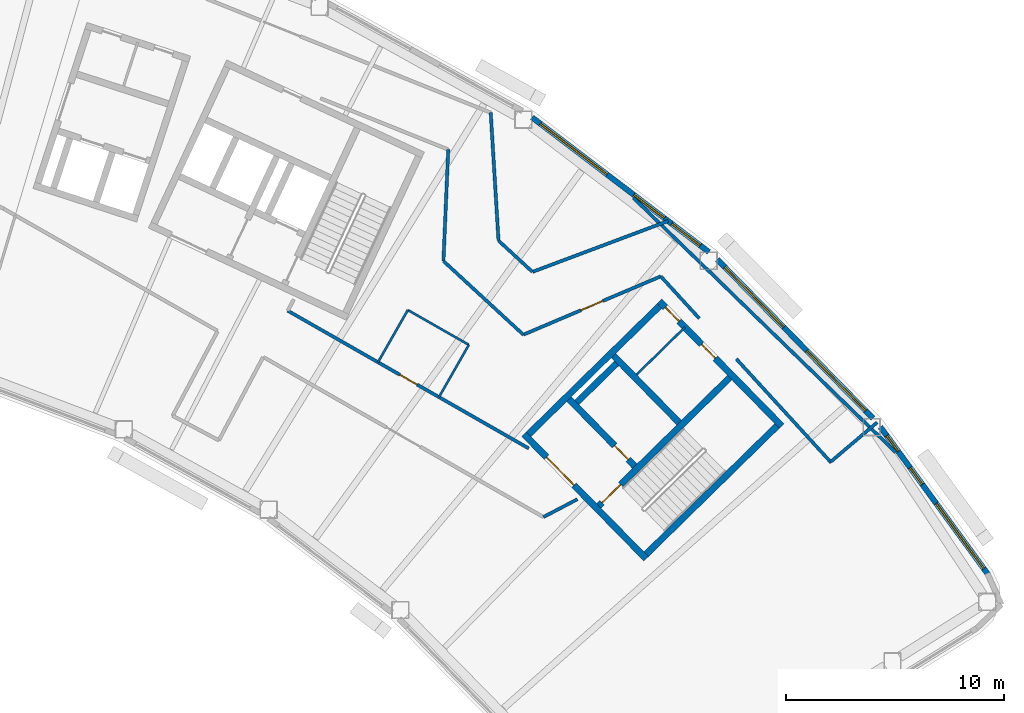
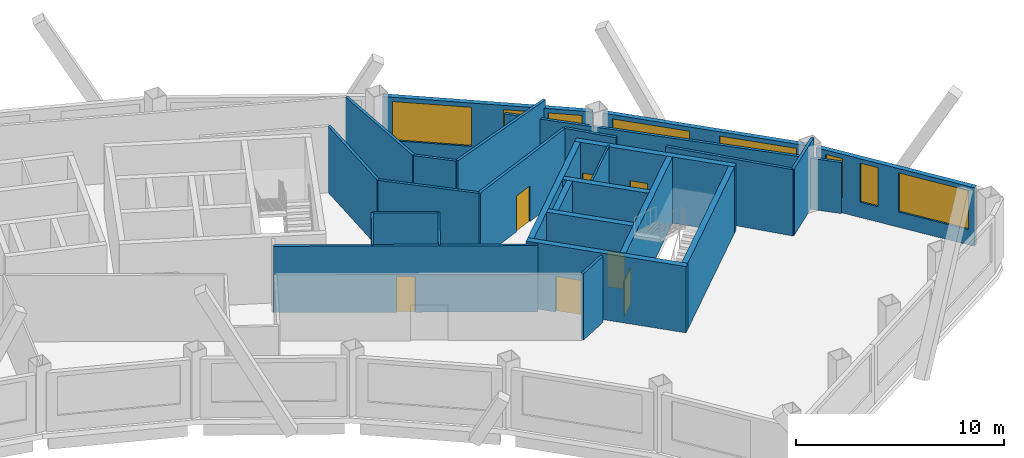
# One storey, part 8 of 12: 27 walls, 8 windows, 7 doors, 15 openings.
"""IFC4 building model written with IfcOpenShell, lengths in metres."""

import ifcopenshell
import ifcopenshell.guid

model = None  # the IFC model being written
_history = None  # IfcOwnerHistory: only IFC2X3 demands one
_inside = {}  # id of a spatial element -> (the spatial element, [elements in it])
_under = {}  # id of a project, library or spatial element -> (it, [spatial elements below it])
_declared = {}  # id of a project -> (the project, [libraries it declares])
_typed = {}  # id of a type object -> (the type object, [elements of that type])
_made_of = {}  # id of a material, layer set ... -> (it, [elements and type objects made of it])


def new_model(schema):
    """Start an empty IFC model of exactly this schema.

    Asked for "IFC4X3", IfcOpenShell would pick the latest addendum, in which some entities
    have other attributes; the version numbers below select the first issue.
    IFC2X3 requires an IfcOwnerHistory on every rooted entity: one is made here for all.
    """
    global model, _history
    if schema == "IFC4X3":
        model = ifcopenshell.file(schema_version=(4, 3, 0, 0))
    else:
        model = ifcopenshell.file(schema=schema)
    _inside.clear()
    _under.clear()
    _declared.clear()
    _typed.clear()
    _made_of.clear()
    _history = None
    if model.schema == "IFC2X3":
        org = make("IfcOrganization", Name="unknown")
        user = make(
            "IfcPersonAndOrganization",
            ThePerson=make("IfcPerson", FamilyName="unknown"),
            TheOrganization=org,
        )
        app = make(
            "IfcApplication",
            ApplicationDeveloper=org,
            Version="unknown",
            ApplicationFullName="unknown",
            ApplicationIdentifier="unknown",
        )
        _history = make(
            "IfcOwnerHistory",
            OwningUser=user,
            OwningApplication=app,
            ChangeAction="ADDED",
            CreationDate=0,
        )
    return model


def make(cls, **values):
    """One entity of the class cls with the attributes given. An attribute that is None is left unset."""
    return model.create_entity(
        cls, **{name: value for name, value in values.items() if value is not None}
    )


def rooted(cls, **values):
    """An entity with a GlobalId (a new one), such as an element, a storey or a relation."""
    return make(cls, GlobalId=ifcopenshell.guid.new(), OwnerHistory=_history, **values)


def si_unit(unit_type, name, prefix=None):
    """IfcSIUnit, for example si_unit("LENGTHUNIT", "METRE", prefix="MILLI")."""
    return make("IfcSIUnit", UnitType=unit_type, Prefix=prefix, Name=name)


def assignment(units):
    """IfcUnitAssignment: the units of a project."""
    return None if units is None else make("IfcUnitAssignment", Units=units)


def point(xyz):
    """IfcCartesianPoint."""
    return None if xyz is None else make("IfcCartesianPoint", Coordinates=xyz)


def direction(xyz):
    """IfcDirection."""
    return None if xyz is None else make("IfcDirection", DirectionRatios=xyz)


def frame(location, z_axis=None, x_axis=None):
    """IfcAxis2Placement3D, a coordinate frame: its origin and axes. An axis left out is left unset."""
    return make(
        "IfcAxis2Placement3D",
        Location=point(location),
        Axis=direction(z_axis),
        RefDirection=direction(x_axis),
    )


def frame_2d(location, x_axis=None):
    """IfcAxis2Placement2D, a coordinate frame in the plane: its origin and x axis."""
    return make(
        "IfcAxis2Placement2D", Location=point(location), RefDirection=direction(x_axis)
    )


def origin():
    """The frame at (0, 0, 0) with its axes left unset."""
    return frame((0.0, 0.0, 0.0))


def place(relative_to, where):
    """IfcLocalPlacement: puts the frame where relative to a parent placement (None: the world)."""
    return make(
        "IfcLocalPlacement", PlacementRelTo=relative_to, RelativePlacement=where
    )


def context(
    kind, dimensions, precision=None, world=None, true_north=None, identifier=None
):
    """IfcGeometricRepresentationContext, for example the 3D "Model" context."""
    return make(
        "IfcGeometricRepresentationContext",
        ContextIdentifier=identifier,
        ContextType=kind,
        CoordinateSpaceDimension=dimensions,
        Precision=precision,
        WorldCoordinateSystem=world,
        TrueNorth=true_north,
    )


def subcontext(parent, identifier, kind, view, scale=None):
    """IfcGeometricRepresentationSubContext, for example "Body" below "Model"."""
    return make(
        "IfcGeometricRepresentationSubContext",
        ContextIdentifier=identifier,
        ContextType=kind,
        ParentContext=parent,
        TargetScale=scale,
        TargetView=view,
    )


def project(units=None, contexts=None):
    """IfcProject with its units and contexts."""
    return rooted(
        "IfcProject",
        Name="project",
        RepresentationContexts=contexts,
        UnitsInContext=assignment(units),
    )


def spatial(cls, under=None, at=None, **own):
    """A site, building, storey or space (cls), placed at a placement, below another one or the project."""
    s = rooted(cls, ObjectPlacement=at, **own)
    if under is not None:
        _under.setdefault(under.id(), (under, []))[1].append(s)
    return s


def profile(cls, at=None, kind="AREA", **sizes):
    """A parametric profile (cls). Its sizes go by their IFC names, for example OverallWidth=200.0."""
    return make(cls, ProfileType=kind, Position=at, **sizes)


def rectangle(**sizes):
    """IfcRectangleProfileDef."""
    return profile("IfcRectangleProfileDef", **sizes)


def extrude(swept, where, along, depth):
    """IfcExtrudedAreaSolid: the profile swept, set in the frame where, extruded along a direction by depth."""
    return make(
        "IfcExtrudedAreaSolid",
        SweptArea=swept,
        Position=where,
        ExtrudedDirection=direction(along),
        Depth=depth,
    )


def shape(context_of_items, identifier, shape_type, items):
    """IfcShapeRepresentation: the items that make up one representation, for example the "Body"."""
    return make(
        "IfcShapeRepresentation",
        ContextOfItems=context_of_items,
        RepresentationIdentifier=identifier,
        RepresentationType=shape_type,
        Items=items,
    )


def material(Name=None, Category=None):
    """IfcMaterial."""
    return make("IfcMaterial", Name=Name, Category=Category)


def layer(
    of_material, thickness, ventilated=None, Name=None, Category=None, Priority=None
):
    """IfcMaterialLayer: one layer of a wall or slab, of a material (None: an air gap)."""
    return make(
        "IfcMaterialLayer",
        Material=of_material,
        LayerThickness=thickness,
        IsVentilated=ventilated,
        Name=Name,
        Category=Category,
        Priority=Priority,
    )


def layer_set(layers, Name=None):
    """IfcMaterialLayerSet."""
    return make("IfcMaterialLayerSet", MaterialLayers=layers, LayerSetName=Name)


def made_of(thing, what):
    """Note that an element or type object is made of a material, layer set ...; save() writes the relation."""
    if what is not None:
        _made_of.setdefault(what.id(), (what, []))[1].append(thing)
    return thing


def type_object(cls, material=None, **own):
    """A type object (cls), such as IfcWallType, which elements share."""
    return made_of(rooted(cls, **own), material)


def element(
    cls,
    number,
    at=None,
    inside=None,
    cuts=None,
    type_object=None,
    material=None,
    context=None,
    identifier="Body",
    shape_type=None,
    held_by="IfcProductDefinitionShape",
    body=None,
    shapes=None,
    **own,
):
    """One element of the class cls, such as IfcWall. Its Tag is "e" and its number.

    at: its placement. inside: the storey or other place that contains it. cuts: it is an
    opening in that element (IfcRelVoidsElement). A single representation is given by context,
    identifier, shape_type and body (its items); several are given by shapes. held_by: the class
    of the entity that holds the representations. save() writes the other relations.
    """
    e = rooted(cls, Tag="e%d" % number, ObjectPlacement=at, **own)
    if body is not None:
        shapes = [shape(context, identifier, shape_type, body)]
    if shapes is not None:
        e.Representation = make(held_by, Representations=shapes)
    if inside is not None:
        _inside.setdefault(inside.id(), (inside, []))[1].append(e)
    if cuts is not None:
        rooted(
            "IfcRelVoidsElement", RelatingBuildingElement=cuts, RelatedOpeningElement=e
        )
    if type_object is not None:
        _typed.setdefault(type_object.id(), (type_object, []))[1].append(e)
    return made_of(e, material)


def fill(opening, filler):
    """IfcRelFillsElement: the door or window that sits in an opening."""
    return rooted(
        "IfcRelFillsElement",
        RelatingOpeningElement=opening,
        RelatedBuildingElement=filler,
    )


def aggregate(whole, parts):
    """IfcRelAggregates: a whole, such as a stair, and the parts it consists of."""
    return rooted("IfcRelAggregates", RelatingObject=whole, RelatedObjects=parts)


def save(model, path):
    """Write the relations noted so far, then the file.

    IfcRelAggregates (storeys below a building ...), IfcRelContainedInSpatialStructure (elements
    in a storey), IfcRelDefinesByType, IfcRelAssociatesMaterial and IfcRelDeclares: one each for
    every whole, place, type object, material and project.
    """
    for whole, parts in _under.values():
        aggregate(whole, parts)
    for where, things in _inside.values():
        rooted(
            "IfcRelContainedInSpatialStructure",
            RelatedElements=things,
            RelatingStructure=where,
        )
    for kind, things in _typed.values():
        rooted("IfcRelDefinesByType", RelatedObjects=things, RelatingType=kind)
    for what, things in _made_of.values():
        rooted("IfcRelAssociatesMaterial", RelatedObjects=things, RelatingMaterial=what)
    for by, libraries in _declared.values():
        rooted("IfcRelDeclares", RelatingContext=by, RelatedDefinitions=libraries)
    model.write(path)


model = new_model("IFC4")

# Units and contexts
model_context = context("Model", 3, precision=1e-05, world=origin(), true_north=direction((0.0, 1.0)))
body_context = subcontext(model_context, "Body", "Model", "MODEL_VIEW")
ifc_project = project(units=[si_unit("LENGTHUNIT", "METRE"), si_unit("AREAUNIT", "SQUARE_METRE"), si_unit("VOLUMEUNIT", "CUBIC_METRE"), si_unit("PLANEANGLEUNIT", "RADIAN"), si_unit("MASSUNIT", "GRAM", prefix="KILO")], contexts=[model_context])

# Site, building, storey
site_placement = place(None, origin())
site = spatial("IfcSite", under=ifc_project, at=site_placement, CompositionType="ELEMENT")
building_placement = place(site_placement, origin())
building = spatial("IfcBuilding", under=site, at=building_placement, Name="Tuul Gate Civic Tower", CompositionType="ELEMENT")
storey_placement = place(building_placement, frame((0.0, 0.0, 336.5)))
storey = spatial("IfcBuildingStorey", under=building, at=storey_placement, Name="Level 76", CompositionType="ELEMENT", Elevation=336.5)

# Wall, opening, door
ifc_material_1 = material(Name="Concrete C50/60", Category="concrete")
ifc_layer_1 = layer(ifc_material_1, 0.300048828125)
ifc_layer_set_1 = layer_set([ifc_layer_1], Name="Concrete C50/60")
wall_type_1 = type_object("IfcWallType", Name="Core wall C50/60", PredefinedType="SHEAR", material=ifc_layer_set_1)
wall_1_placement = place(storey_placement, frame((48.22509765625, -18.327880859375, 0.0), z_axis=(0.0, 0.0, 1.0), x_axis=(-0.700021979774, 0.714121297703, 0.0)))
wall_1 = element("IfcWall", 1, at=wall_1_placement, inside=storey, type_object=wall_type_1, Name="Core wall", PredefinedType="SHEAR", context=body_context, shape_type="SweptSolid", body=[
    extrude(rectangle(XDim=8.0, YDim=0.300048828125, at=frame_2d((4.0, 0.0))), origin(), (0.0, 0.0, 1.0), 3.89990234375),
])
opening_1_placement = place(wall_1_placement, frame((4.72509765625, 0.0, 0.0)))
opening_1 = element("IfcOpeningElement", 2, at=opening_1_placement, cuts=wall_1, Name="Opening LB-E1-LOBBY-1", PredefinedType="OPENING", context=body_context, shape_type="SweptSolid", body=[
    extrude(rectangle(XDim=1.800048828125, YDim=2.10009765625, at=frame_2d((0.89990234375, 1.050048828125))), frame((0.0, 0.16015625, 0.0), z_axis=(0.0, -1.0, 0.0), x_axis=(1.0, 0.0, 0.0)), (0.0, 0.0, 1.0), 0.320068359375),
])
ifc_material_2 = material(Name="Steel", Category="steel")
door_type_1 = type_object("IfcDoorType", Name="Lobby door", OperationType="DOUBLE_DOOR_SINGLE_SWING", PredefinedType="DOOR", material=ifc_material_2)
door_1_placement = place(opening_1_placement, frame((1.800048828125, 0.0, 0.0), z_axis=(0.0, 0.0, 1.0), x_axis=(-1.0, 0.0, 0.0)))
door_1 = element("IfcDoor", 3, at=door_1_placement, inside=storey, type_object=door_type_1, Name="Lobby door E1-LOBBY", OperationType="DOUBLE_DOOR_SINGLE_SWING", OverallHeight=2.10009765625, OverallWidth=1.800048828125, PredefinedType="DOOR", context=body_context, shape_type="SweptSolid", body=[
    extrude(rectangle(XDim=1.800048828125, YDim=2.10009765625, at=frame_2d((0.900146484375, 1.050048828125))), frame((0.0, 0.02490234375, 0.0), z_axis=(0.0, -1.0, 0.0), x_axis=(1.0, 0.0, 0.0)), (0.0, 0.0, 1.0), 0.050048828125),
])
fill(opening_1, door_1)

wall_2_placement = place(storey_placement, frame((47.701904296875, -14.079833984375, 0.0), z_axis=(0.0, 0.0, 1.0), x_axis=(-0.700002721075, 0.714140175657, 0.0)))
wall_2 = element("IfcWall", 4, at=wall_2_placement, inside=storey, type_object=wall_type_1, Name="Core wall", PredefinedType="SHEAR", context=body_context, shape_type="SweptSolid", body=[
    extrude(rectangle(XDim=4.300048828125, YDim=0.300048828125, at=frame_2d((2.14990234375, 0.0))), origin(), (0.0, 0.0, 1.0), 3.89990234375),
])
opening_2_placement = place(wall_2_placement, frame((0.425048828125, 0.0, 0.0)))
opening_2 = element("IfcOpeningElement", 5, at=opening_2_placement, cuts=wall_2, Name="Opening FB-E1A1", PredefinedType="OPENING", context=body_context, shape_type="SweptSolid", body=[
    extrude(rectangle(XDim=0.89990234375, YDim=2.10009765625, at=frame_2d((0.449951171875, 1.050048828125))), frame((0.0, 0.16015625, 0.0), z_axis=(0.0, -1.0, 0.0), x_axis=(1.0, 0.0, 0.0)), (0.0, 0.0, 1.0), 0.320068359375),
])
ifc_material_3 = material(Name="Steel", Category="steel")
door_type_2 = type_object("IfcDoorType", Name="Store door", OperationType="NOTDEFINED", PredefinedType="DOOR", material=ifc_material_3)
door_2_placement = place(opening_2_placement, frame((0.89990234375, 0.0, 0.0), z_axis=(0.0, 0.0, 1.0), x_axis=(-1.0, 0.0, 0.0)))
door_2 = element("IfcDoor", 6, at=door_2_placement, inside=storey, type_object=door_type_2, Name="Store door E1A1", OperationType="SINGLE_SWING_RIGHT", OverallHeight=2.10009765625, OverallWidth=0.89990234375, PredefinedType="DOOR", context=body_context, shape_type="SweptSolid", body=[
    extrude(rectangle(XDim=0.89990234375, YDim=2.10009765625, at=frame_2d((0.449951171875, 1.050048828125))), frame((0.0, 0.02490234375, 0.0), z_axis=(0.0, -1.0, 0.0), x_axis=(1.0, 0.0, 0.0)), (0.0, 0.0, 1.0), 0.050048828125),
])
fill(opening_2, door_2)

# Wall
wall_3_placement = place(storey_placement, frame((49.737060546875, -12.0849609375, 0.0), z_axis=(0.0, 0.0, 1.0), x_axis=(-0.700002721075, 0.714140175657, 0.0)))
element("IfcWall", 7, at=wall_3_placement, inside=storey, type_object=wall_type_1, Name="Core wall", PredefinedType="SHEAR", context=body_context, shape_type="SweptSolid", body=[
    extrude(rectangle(XDim=4.300048828125, YDim=0.300048828125, at=frame_2d((2.14990234375, 0.0))), origin(), (0.0, 0.0, 1.0), 3.89990234375),
])

# Wall, openings, doors
wall_4_placement = place(storey_placement, frame((54.43798828125, -12.23779296875, 0.0), z_axis=(0.0, 0.0, 1.0), x_axis=(-0.700021979774, 0.714121297703, 0.0)))
wall_4 = element("IfcWall", 8, at=wall_4_placement, inside=storey, type_object=wall_type_1, Name="Core wall", PredefinedType="SHEAR", context=body_context, shape_type="SweptSolid", body=[
    extrude(rectangle(XDim=8.0, YDim=0.300048828125, at=frame_2d((4.0, 0.0))), origin(), (0.0, 0.0, 1.0), 3.89990234375),
])
opening_3_placement = place(wall_4_placement, frame((4.34375, 0.0, 0.0)))
opening_3 = element("IfcOpeningElement", 9, at=opening_3_placement, cuts=wall_4, Name="Opening AB-D16", PredefinedType="OPENING", context=body_context, shape_type="SweptSolid", body=[
    extrude(rectangle(XDim=0.89990234375, YDim=2.10009765625, at=frame_2d((0.449951171875, 1.050048828125))), frame((0.0, 0.16015625, 0.0), z_axis=(0.0, -1.0, 0.0), x_axis=(1.0, 0.0, 0.0)), (0.0, 0.0, 1.0), 0.320068359375),
])
opening_4_placement = place(wall_4_placement, frame((6.71875, 0.0, 0.0)))
opening_4 = element("IfcOpeningElement", 10, at=opening_4_placement, cuts=wall_4, Name="Opening AB-D17", PredefinedType="OPENING", context=body_context, shape_type="SweptSolid", body=[
    extrude(rectangle(XDim=0.89990234375, YDim=2.10009765625, at=frame_2d((0.449951171875, 1.050048828125))), frame((0.0, 0.16015625, 0.0), z_axis=(0.0, -1.0, 0.0), x_axis=(1.0, 0.0, 0.0)), (0.0, 0.0, 1.0), 0.320068359375),
])
ifc_material_4 = material(Name="Timber door leaf", Category="wood")
door_type_3 = type_object("IfcDoorType", Name="Door D09", OperationType="NOTDEFINED", PredefinedType="DOOR", material=ifc_material_4)
door_3_placement = place(opening_3_placement, origin())
door_3 = element("IfcDoor", 11, at=door_3_placement, inside=storey, type_object=door_type_3, Name="Door AB-D16", OperationType="SINGLE_SWING_LEFT", OverallHeight=2.10009765625, OverallWidth=0.89990234375, PredefinedType="DOOR", context=body_context, shape_type="SweptSolid", body=[
    extrude(rectangle(XDim=0.89990234375, YDim=2.10009765625, at=frame_2d((0.449951171875, 1.050048828125))), frame((0.0, 0.02490234375, 0.0), z_axis=(0.0, -1.0, 0.0), x_axis=(1.0, 0.0, 0.0)), (0.0, 0.0, 1.0), 0.050048828125),
])
fill(opening_3, door_3)
door_4_placement = place(opening_4_placement, origin())
door_4 = element("IfcDoor", 12, at=door_4_placement, inside=storey, type_object=door_type_3, Name="Door AB-D17", OperationType="SINGLE_SWING_LEFT", OverallHeight=2.10009765625, OverallWidth=0.89990234375, PredefinedType="DOOR", context=body_context, shape_type="SweptSolid", body=[
    extrude(rectangle(XDim=0.89990234375, YDim=2.10009765625, at=frame_2d((0.449951171875, 1.050048828125))), frame((0.0, 0.02490234375, 0.0), z_axis=(0.0, -1.0, 0.0), x_axis=(1.0, 0.0, 0.0)), (0.0, 0.0, 1.0), 0.050048828125),
])
fill(opening_4, door_4)

# Wall
wall_5_placement = place(storey_placement, frame((48.227294921875, -18.115966796875, 0.0), z_axis=(0.0, 0.0, 1.0), x_axis=(0.714105315431, 0.700038283577, 0.0)))
element("IfcWall", 13, at=wall_5_placement, inside=storey, type_object=wall_type_1, Name="Core wall", PredefinedType="SHEAR", context=body_context, shape_type="SweptSolid", body=[
    extrude(rectangle(XDim=8.400146484375, YDim=0.300048828125, at=frame_2d((4.2001953125, 0.0))), origin(), (0.0, 0.0, 1.0), 3.89990234375),
])

# Wall, opening, door
wall_6_placement = place(storey_placement, frame((46.05712890625, -15.902099609375, 0.0), z_axis=(0.0, 0.0, 1.0), x_axis=(0.714134086973, 0.700008932674, 0.0)))
wall_6 = element("IfcWall", 14, at=wall_6_placement, inside=storey, type_object=wall_type_1, Name="Core wall", PredefinedType="SHEAR", context=body_context, shape_type="SweptSolid", body=[
    extrude(rectangle(XDim=8.400146484375, YDim=0.300048828125, at=frame_2d((4.2001953125, 0.0))), origin(), (0.0, 0.0, 1.0), 3.89990234375),
])
opening_5_placement = place(wall_6_placement, frame((0.199951171875, 0.0, 0.0)))
opening_5 = element("IfcOpeningElement", 15, at=opening_5_placement, cuts=wall_6, Name="Opening SD-ST-3", PredefinedType="OPENING", context=body_context, shape_type="SweptSolid", body=[
    extrude(rectangle(XDim=1.199951171875, YDim=2.10009765625, at=frame_2d((0.60009765625, 1.050048828125))), frame((0.0, 0.16015625, 0.0), z_axis=(0.0, -1.0, 0.0), x_axis=(1.0, 0.0, 0.0)), (0.0, 0.0, 1.0), 0.320068359375),
])
ifc_material_5 = material(Name="Steel", Category="steel")
door_type_4 = type_object("IfcDoorType", Name="Stair door", OperationType="NOTDEFINED", PredefinedType="DOOR", material=ifc_material_5)
door_5_placement = place(opening_5_placement, origin())
door_5 = element("IfcDoor", 16, at=door_5_placement, inside=storey, type_object=door_type_4, Name="Stair door ST-3", OperationType="SINGLE_SWING_LEFT", OverallHeight=2.10009765625, OverallWidth=1.199951171875, PredefinedType="DOOR", context=body_context, shape_type="SweptSolid", body=[
    extrude(rectangle(XDim=1.199951171875, YDim=2.10009765625, at=frame_2d((0.60009765625, 1.050048828125))), frame((0.0, 0.02490234375, 0.0), z_axis=(0.0, -1.0, 0.0), x_axis=(1.0, 0.0, 0.0)), (0.0, 0.0, 1.0), 0.050048828125),
])
fill(opening_5, door_5)

# Walls
wall_7_placement = place(storey_placement, frame((45.0439453125, -11.154052734375, 0.0), z_axis=(0.0, 0.0, 1.0), x_axis=(0.714108498262, 0.700035036773, 0.0)))
element("IfcWall", 17, at=wall_7_placement, inside=storey, type_object=wall_type_1, Name="Core wall", PredefinedType="SHEAR", context=body_context, shape_type="SweptSolid", body=[
    extrude(rectangle(XDim=2.550048828125, YDim=0.300048828125, at=frame_2d((1.27490234375, 0.0))), origin(), (0.0, 0.0, 1.0), 3.89990234375),
])
wall_8_placement = place(storey_placement, frame((42.837158203125, -12.616943359375, 0.0), z_axis=(0.0, 0.0, 1.0), x_axis=(0.714119844755, 0.700023461983, 0.0)))
element("IfcWall", 18, at=wall_8_placement, inside=storey, type_object=wall_type_1, Name="Core wall", PredefinedType="SHEAR", context=body_context, shape_type="SweptSolid", body=[
    extrude(rectangle(XDim=8.39990234375, YDim=0.300048828125, at=frame_2d((4.199951171875, 0.0))), origin(), (0.0, 0.0, 1.0), 3.89990234375),
])
ifc_material_6 = material(Name="Gypsum board partition")
ifc_layer_2 = layer(ifc_material_6, 0.14990234375)
ifc_layer_set_2 = layer_set([ifc_layer_2], Name="Gypsum board partition")
wall_type_2 = type_object("IfcWallType", Name="Corridor wall P150", PredefinedType="PARTITIONING", material=ifc_layer_set_2)
wall_9_placement = place(storey_placement, frame((56.680419921875, -13.884521484375, 0.0), z_axis=(0.0, 0.0, 1.0), x_axis=(0.762827080331, 0.646602540603, 0.0)))
element("IfcWall", 19, at=wall_9_placement, inside=storey, type_object=wall_type_2, Name="p005", PredefinedType="PARTITIONING", context=body_context, shape_type="SweptSolid", body=[
    extrude(rectangle(XDim=2.800048828125, YDim=0.14990234375, at=frame_2d((1.39990234375, 0.0))), origin(), (0.0, 0.0, 1.0), 3.89990234375),
])
wall_10_placement = place(storey_placement, frame((43.022705078125, -5.169677734375, 0.0), z_axis=(0.0, 0.0, 1.0), x_axis=(0.936259625326, 0.351308858391, 0.0)))
element("IfcWall", 20, at=wall_10_placement, inside=storey, type_object=wall_type_2, Name="p008", PredefinedType="PARTITIONING", context=body_context, shape_type="SweptSolid", body=[
    extrude(rectangle(XDim=6.637451171875, YDim=0.14990234375, at=frame_2d((3.31884765625, 0.0))), origin(), (0.0, 0.0, 1.0), 3.89990234375),
])
wall_11_placement = place(storey_placement, frame((41.4609375, -3.74462890625, 0.0), z_axis=(0.0, 0.0, 1.0), x_axis=(0.73520477324, -0.677845071831, 0.0)))
element("IfcWall", 21, at=wall_11_placement, inside=storey, type_object=wall_type_2, Name="p009", PredefinedType="PARTITIONING", context=body_context, shape_type="SweptSolid", body=[
    extrude(rectangle(XDim=2.098388671875, YDim=0.14990234375, at=frame_2d((1.04931640625, 0.0))), origin(), (0.0, 0.0, 1.0), 3.89990234375),
])
wall_12_placement = place(storey_placement, frame((41.09814453125, 2.126708984375, 0.0), z_axis=(0.0, 0.0, 1.0), x_axis=(0.060778723393, -0.99815126448, 0.0)))
element("IfcWall", 22, at=wall_12_placement, inside=storey, type_object=wall_type_2, Name="p010", PredefinedType="PARTITIONING", context=body_context, shape_type="SweptSolid", body=[
    extrude(rectangle(XDim=5.87255859375, YDim=0.14990234375, at=frame_2d((2.936279296875, 0.0))), origin(), (0.0, 0.0, 1.0), 3.89990234375),
])

# Wall, opening, door
wall_13_placement = place(storey_placement, frame((31.793701171875, -6.953857421875, 0.0), z_axis=(0.0, 0.0, 1.0), x_axis=(0.868275010621, -0.496083164329, 0.0)))
wall_13 = element("IfcWall", 23, at=wall_13_placement, inside=storey, type_object=wall_type_2, Name="p015", PredefinedType="PARTITIONING", context=body_context, shape_type="SweptSolid", body=[
    extrude(rectangle(XDim=12.72802734375, YDim=0.14990234375, at=frame_2d((6.364013671875, 0.0))), origin(), (0.0, 0.0, 1.0), 3.89990234375),
])
opening_6_placement = place(wall_13_placement, frame((5.923583984375, 0.0, 0.0)))
opening_6 = element("IfcOpeningElement", 24, at=opening_6_placement, cuts=wall_13, Name="Opening AB-D09", PredefinedType="OPENING", context=body_context, shape_type="SweptSolid", body=[
    extrude(rectangle(XDim=0.89990234375, YDim=2.10009765625, at=frame_2d((0.449951171875, 1.050048828125))), frame((0.0, 0.0849609375, 0.0), z_axis=(0.0, -1.0, 0.0), x_axis=(1.0, 0.0, 0.0)), (0.0, 0.0, 1.0), 0.169921875),
])
door_6_placement = place(opening_6_placement, origin())
door_6 = element("IfcDoor", 25, at=door_6_placement, inside=storey, type_object=door_type_3, Name="Door AB-D09", OperationType="SINGLE_SWING_RIGHT", OverallHeight=2.10009765625, OverallWidth=0.89990234375, PredefinedType="DOOR", context=body_context, shape_type="SweptSolid", body=[
    extrude(rectangle(XDim=0.89990234375, YDim=2.10009765625, at=frame_2d((0.449951171875, 1.050048828125))), frame((0.0, 0.02490234375, 0.0), z_axis=(0.0, -1.0, 0.0), x_axis=(1.0, 0.0, 0.0)), (0.0, 0.0, 1.0), 0.050048828125),
])
fill(opening_6, door_6)

# Walls
wall_14_placement = place(storey_placement, frame((48.8955078125, -5.377685546875, 0.0), z_axis=(0.0, 0.0, 1.0), x_axis=(0.674981058804, -0.737835056267, 0.0)))
element("IfcWall", 26, at=wall_14_placement, inside=storey, type_object=wall_type_2, Name="p034", PredefinedType="PARTITIONING", context=body_context, shape_type="SweptSolid", body=[
    extrude(rectangle(XDim=2.617919921875, YDim=0.14990234375, at=frame_2d((1.30908203125, 0.0))), origin(), (0.0, 0.0, 1.0), 3.89990234375),
])
wall_15_placement = place(storey_placement, frame((52.35595703125, -9.160400390625, 0.0), z_axis=(0.0, 0.0, 1.0), x_axis=(0.675011270059, -0.737807417484, 0.0)))
element("IfcWall", 27, at=wall_15_placement, inside=storey, type_object=wall_type_2, Name="p035", PredefinedType="PARTITIONING", context=body_context, shape_type="SweptSolid", body=[
    extrude(rectangle(XDim=6.449951171875, YDim=0.14990234375, at=frame_2d((3.22509765625, 0.0))), origin(), (0.0, 0.0, 1.0), 3.89990234375),
])
wall_16_placement = place(storey_placement, frame((43.513427734375, -16.4140625, 0.0), z_axis=(0.0, 0.0, 1.0), x_axis=(0.885532234034, 0.464577940164, 0.0)))
element("IfcWall", 28, at=wall_16_placement, inside=storey, type_object=wall_type_2, Name="p042", PredefinedType="PARTITIONING", context=body_context, shape_type="SweptSolid", body=[
    extrude(rectangle(XDim=1.75732421875, YDim=0.14990234375, at=frame_2d((0.878662109375, 0.0))), origin(), (0.0, 0.0, 1.0), 3.89990234375),
])

# Wall, opening, door
wall_17_placement = place(storey_placement, frame((42.593505859375, -8.05322265625, 0.0), z_axis=(0.0, 0.0, 1.0), x_axis=(0.920478795209, 0.390792512172, 0.0)))
wall_17 = element("IfcWall", 29, at=wall_17_placement, inside=storey, type_object=wall_type_2, Name="p076", PredefinedType="PARTITIONING", context=body_context, shape_type="SweptSolid", body=[
    extrude(rectangle(XDim=6.846435546875, YDim=0.14990234375, at=frame_2d((3.42333984375, 0.0))), origin(), (0.0, 0.0, 1.0), 3.89990234375),
])
opening_7_placement = place(wall_17_placement, frame((2.873291015625, 0.0, 0.0)))
opening_7 = element("IfcOpeningElement", 30, at=opening_7_placement, cuts=wall_17, Name="Opening AB-D13", PredefinedType="OPENING", context=body_context, shape_type="SweptSolid", body=[
    extrude(rectangle(XDim=1.10009765625, YDim=2.10009765625, at=frame_2d((0.550048828125, 1.050048828125))), frame((0.0, 0.0849609375, 0.0), z_axis=(0.0, -1.0, 0.0), x_axis=(1.0, 0.0, 0.0)), (0.0, 0.0, 1.0), 0.169921875),
])
ifc_material_7 = material(Name="Timber door leaf", Category="wood")
door_type_5 = type_object("IfcDoorType", Name="Door D11", OperationType="NOTDEFINED", PredefinedType="DOOR", material=ifc_material_7)
door_7_placement = place(opening_7_placement, frame((1.10009765625, 0.0, 0.0), z_axis=(0.0, 0.0, 1.0), x_axis=(-1.0, 0.0, 0.0)))
door_7 = element("IfcDoor", 31, at=door_7_placement, inside=storey, type_object=door_type_5, Name="Door AB-D13", OperationType="SINGLE_SWING_LEFT", OverallHeight=2.10009765625, OverallWidth=1.10009765625, PredefinedType="DOOR", context=body_context, shape_type="SweptSolid", body=[
    extrude(rectangle(XDim=1.10009765625, YDim=2.10009765625, at=frame_2d((0.550048828125, 1.050048828125))), frame((0.0, 0.02490234375, 0.0), z_axis=(0.0, -1.0, 0.0), x_axis=(1.0, 0.0, 0.0)), (0.0, 0.0, 1.0), 0.050048828125),
])
fill(opening_7, door_7)

# Walls
wall_18_placement = place(storey_placement, frame((38.930419921875, -4.676025390625, 0.0), z_axis=(0.0, 0.0, 1.0), x_axis=(0.735214732074, -0.677834270114, 0.0)))
element("IfcWall", 32, at=wall_18_placement, inside=storey, type_object=wall_type_2, Name="p077", PredefinedType="PARTITIONING", context=body_context, shape_type="SweptSolid", body=[
    extrude(rectangle(XDim=4.982421875, YDim=0.14990234375, at=frame_2d((2.4912109375, 0.0))), origin(), (0.0, 0.0, 1.0), 3.89990234375),
])
wall_19_placement = place(storey_placement, frame((38.930419921875, -4.676025390625, 0.0), z_axis=(0.0, 0.0, 1.0), x_axis=(0.042938252955, 0.999077727924, 0.0)))
element("IfcWall", 33, at=wall_19_placement, inside=storey, type_object=wall_type_2, Name="p078", PredefinedType="PARTITIONING", context=body_context, shape_type="SweptSolid", body=[
    extrude(rectangle(XDim=5.1171875, YDim=0.14990234375, at=frame_2d((2.55859375, 0.0))), origin(), (0.0, 0.0, 1.0), 3.89990234375),
])
ifc_material_8 = material(Name="Gypsum board partition")
ifc_layer_3 = layer(ifc_material_8, 0.14990234375)
ifc_layer_set_3 = layer_set([ifc_layer_3], Name="Gypsum board partition")
wall_type_3 = type_object("IfcWallType", Name="Corridor wall P150 3000 HIGH", PredefinedType="PARTITIONING", material=ifc_layer_set_3)
wall_20_placement = place(storey_placement, frame((47.64111328125, -1.7802734375, 0.0), z_axis=(0.0, 0.0, 1.0), x_axis=(0.717632546103, -0.696421947367, 0.0)))
element("IfcWall", 34, at=wall_20_placement, inside=storey, type_object=wall_type_3, Name="p007", PredefinedType="PARTITIONING", context=body_context, shape_type="SweptSolid", body=[
    extrude(rectangle(XDim=16.74755859375, YDim=0.14990234375, at=frame_2d((8.373779296875, 0.0))), origin(), (0.0, 0.0, 1.0), 3.0),
])

# Wall, openings, windows
ifc_material_9 = material(Name="Precast concrete C40/50", Category="concrete")
ifc_layer_4 = layer(ifc_material_9, 0.25)
ifc_layer_set_4 = layer_set([ifc_layer_4], Name="Precast concrete C40/50")
wall_type_4 = type_object("IfcWallType", Name="External wall", PredefinedType="STANDARD", material=ifc_layer_set_4)
wall_21_placement = place(storey_placement, frame((63.881103515625, -19.017822265625, 0.0), z_axis=(0.0, 0.0, 1.0), x_axis=(-0.58975151757, 0.80758476182, 0.0)))
wall_21 = element("IfcWall", 35, at=wall_21_placement, inside=storey, type_object=wall_type_4, Name="External wall", PredefinedType="STANDARD", context=body_context, shape_type="SweptSolid", body=[
    extrude(rectangle(XDim=8.33740234375, YDim=0.25, at=frame_2d((4.168701171875, 0.0))), origin(), (0.0, 0.0, 1.0), 3.449951171875),
])
opening_8_placement = place(wall_21_placement, frame((0.30078125, 0.0, 0.89990234375)))
opening_8 = element("IfcOpeningElement", 36, at=opening_8_placement, cuts=wall_21, Name="Opening W21", PredefinedType="OPENING", context=body_context, shape_type="SweptSolid", body=[
    extrude(rectangle(XDim=3.699951171875, YDim=2.300048828125, at=frame_2d((1.85009765625, 1.14990234375))), frame((0.0, 0.135009765625, 0.0), z_axis=(0.0, -1.0, 0.0), x_axis=(1.0, 0.0, 0.0)), (0.0, 0.0, 1.0), 0.27001953125),
])
opening_9_placement = place(wall_21_placement, frame((5.077392578125, 0.0, 0.89990234375)))
opening_9 = element("IfcOpeningElement", 37, at=opening_9_placement, cuts=wall_21, Name="Opening W71", PredefinedType="OPENING", context=body_context, shape_type="SweptSolid", body=[
    extrude(rectangle(XDim=0.949951171875, YDim=2.300048828125, at=frame_2d((0.47509765625, 1.14990234375))), frame((0.0, 0.135009765625, 0.0), z_axis=(0.0, -1.0, 0.0), x_axis=(1.0, 0.0, 0.0)), (0.0, 0.0, 1.0), 0.27001953125),
])
opening_10_placement = place(wall_21_placement, frame((6.94091796875, 0.0, 0.89990234375)))
opening_10 = element("IfcOpeningElement", 38, at=opening_10_placement, cuts=wall_21, Name="Opening W73", PredefinedType="OPENING", context=body_context, shape_type="SweptSolid", body=[
    extrude(rectangle(XDim=0.89990234375, YDim=2.300048828125, at=frame_2d((0.449951171875, 1.14990234375))), frame((0.0, 0.135009765625, 0.0), z_axis=(0.0, -1.0, 0.0), x_axis=(1.0, 0.0, 0.0)), (0.0, 0.0, 1.0), 0.27001953125),
])
ifc_material_10 = material(Name="Glass", Category="glass")
window_type_1 = type_object("IfcWindowType", Name="Window 900 x 2300", PartitioningType="SINGLE_PANEL", PredefinedType="WINDOW", material=ifc_material_10)
window_1_placement = place(opening_10_placement, origin())
window_1 = element("IfcWindow", 39, at=window_1_placement, inside=storey, type_object=window_type_1, Name="Window", OverallHeight=2.300048828125, OverallWidth=0.89990234375, PartitioningType="SINGLE_PANEL", PredefinedType="WINDOW", context=body_context, shape_type="SweptSolid", body=[
    extrude(rectangle(XDim=0.89990234375, YDim=2.300048828125, at=frame_2d((0.449951171875, 1.14990234375))), frame((0.0, 0.030029296875, 0.0), z_axis=(0.0, -1.0, 0.0), x_axis=(1.0, 0.0, 0.0)), (0.0, 0.0, 1.0), 0.06005859375),
])
fill(opening_10, window_1)
ifc_material_11 = material(Name="Glass", Category="glass")
window_type_2 = type_object("IfcWindowType", Name="Window 950 x 2300", PartitioningType="SINGLE_PANEL", PredefinedType="WINDOW", material=ifc_material_11)
window_2_placement = place(opening_9_placement, origin())
window_2 = element("IfcWindow", 40, at=window_2_placement, inside=storey, type_object=window_type_2, Name="Window", OverallHeight=2.300048828125, OverallWidth=0.949951171875, PartitioningType="SINGLE_PANEL", PredefinedType="WINDOW", context=body_context, shape_type="SweptSolid", body=[
    extrude(rectangle(XDim=0.949951171875, YDim=2.300048828125, at=frame_2d((0.47509765625, 1.14990234375))), frame((0.0, 0.030029296875, 0.0), z_axis=(0.0, -1.0, 0.0), x_axis=(1.0, 0.0, 0.0)), (0.0, 0.0, 1.0), 0.06005859375),
])
fill(opening_9, window_2)
ifc_material_12 = material(Name="Glass", Category="glass")
window_type_3 = type_object("IfcWindowType", Name="Window W21 3700 x 2300", PartitioningType="SINGLE_PANEL", PredefinedType="WINDOW", material=ifc_material_12)
window_3_placement = place(opening_8_placement, origin())
window_3 = element("IfcWindow", 41, at=window_3_placement, inside=storey, type_object=window_type_3, Name="Window", OverallHeight=2.300048828125, OverallWidth=3.699951171875, PartitioningType="SINGLE_PANEL", PredefinedType="WINDOW", context=body_context, shape_type="SweptSolid", body=[
    extrude(rectangle(XDim=3.699951171875, YDim=2.300048828125, at=frame_2d((1.85009765625, 1.14990234375))), frame((0.0, 0.030029296875, 0.0), z_axis=(0.0, -1.0, 0.0), x_axis=(1.0, 0.0, 0.0)), (0.0, 0.0, 1.0), 0.06005859375),
])
fill(opening_8, window_3)

wall_22_placement = place(storey_placement, frame((58.627197265625, -11.887939453125, 0.0), z_axis=(0.0, 0.0, 1.0), x_axis=(-0.700055609081, 0.714088330807, 0.0)))
wall_22 = element("IfcWall", 42, at=wall_22_placement, inside=storey, type_object=wall_type_4, Name="External wall", PredefinedType="STANDARD", context=body_context, shape_type="SweptSolid", body=[
    extrude(rectangle(XDim=10.1953125, YDim=0.25, at=frame_2d((5.09765625, 0.0))), origin(), (0.0, 0.0, 1.0), 3.449951171875),
])
opening_11_placement = place(wall_22_placement, frame((0.48681640625, 0.0, 0.89990234375)))
opening_11 = element("IfcOpeningElement", 43, at=opening_11_placement, cuts=wall_22, Name="Opening W22", PredefinedType="OPENING", context=body_context, shape_type="SweptSolid", body=[
    extrude(rectangle(XDim=3.85009765625, YDim=2.300048828125, at=frame_2d((1.925048828125, 1.14990234375))), frame((0.0, 0.135009765625, 0.0), z_axis=(0.0, -1.0, 0.0), x_axis=(1.0, 0.0, 0.0)), (0.0, 0.0, 1.0), 0.27001953125),
])
opening_12_placement = place(wall_22_placement, frame((5.85791015625, 0.0, 0.89990234375)))
opening_12 = element("IfcOpeningElement", 44, at=opening_12_placement, cuts=wall_22, Name="Opening W22", PredefinedType="OPENING", context=body_context, shape_type="SweptSolid", body=[
    extrude(rectangle(XDim=3.85009765625, YDim=2.300048828125, at=frame_2d((1.925048828125, 1.14990234375))), frame((0.0, 0.135009765625, 0.0), z_axis=(0.0, -1.0, 0.0), x_axis=(1.0, 0.0, 0.0)), (0.0, 0.0, 1.0), 0.27001953125),
])
ifc_material_13 = material(Name="Glass", Category="glass")
window_type_4 = type_object("IfcWindowType", Name="Window W22 3850 x 2300", PartitioningType="SINGLE_PANEL", PredefinedType="WINDOW", material=ifc_material_13)
window_4_placement = place(opening_11_placement, origin())
window_4 = element("IfcWindow", 45, at=window_4_placement, inside=storey, type_object=window_type_4, Name="Window", OverallHeight=2.300048828125, OverallWidth=3.85009765625, PartitioningType="SINGLE_PANEL", PredefinedType="WINDOW", context=body_context, shape_type="SweptSolid", body=[
    extrude(rectangle(XDim=3.85009765625, YDim=2.300048828125, at=frame_2d((1.925048828125, 1.14990234375))), frame((0.0, 0.030029296875, 0.0), z_axis=(0.0, -1.0, 0.0), x_axis=(1.0, 0.0, 0.0)), (0.0, 0.0, 1.0), 0.06005859375),
])
fill(opening_11, window_4)
window_5_placement = place(opening_12_placement, origin())
window_5 = element("IfcWindow", 46, at=window_5_placement, inside=storey, type_object=window_type_4, Name="Window", OverallHeight=2.300048828125, OverallWidth=3.85009765625, PartitioningType="SINGLE_PANEL", PredefinedType="WINDOW", context=body_context, shape_type="SweptSolid", body=[
    extrude(rectangle(XDim=3.85009765625, YDim=2.300048828125, at=frame_2d((1.925048828125, 1.14990234375))), frame((0.0, 0.030029296875, 0.0), z_axis=(0.0, -1.0, 0.0), x_axis=(1.0, 0.0, 0.0)), (0.0, 0.0, 1.0), 0.06005859375),
])
fill(opening_12, window_5)

wall_23_placement = place(storey_placement, frame((51.100341796875, -4.262939453125, 0.0), z_axis=(0.0, 0.0, 1.0), x_axis=(-0.795619798905, 0.605796282252, 0.0)))
wall_23 = element("IfcWall", 47, at=wall_23_placement, inside=storey, type_object=wall_type_4, Name="External wall", PredefinedType="STANDARD", context=body_context, shape_type="SweptSolid", body=[
    extrude(rectangle(XDim=10.18896484375, YDim=0.25, at=frame_2d((5.094482421875, 0.0))), origin(), (0.0, 0.0, 1.0), 3.449951171875),
])
opening_13_placement = place(wall_23_placement, frame((5.865478515625, 0.0, 0.89990234375)))
opening_13 = element("IfcOpeningElement", 48, at=opening_13_placement, cuts=wall_23, Name="Opening W22", PredefinedType="OPENING", context=body_context, shape_type="SweptSolid", body=[
    extrude(rectangle(XDim=3.85009765625, YDim=2.300048828125, at=frame_2d((1.925048828125, 1.14990234375))), frame((0.0, 0.135009765625, 0.0), z_axis=(0.0, -1.0, 0.0), x_axis=(1.0, 0.0, 0.0)), (0.0, 0.0, 1.0), 0.27001953125),
])
opening_14_placement = place(wall_23_placement, frame((0.4951171875, 0.0, 0.89990234375)))
opening_14 = element("IfcOpeningElement", 49, at=opening_14_placement, cuts=wall_23, Name="Opening W55", PredefinedType="OPENING", context=body_context, shape_type="SweptSolid", body=[
    extrude(rectangle(XDim=1.64990234375, YDim=2.300048828125, at=frame_2d((0.824951171875, 1.14990234375))), frame((0.0, 0.135009765625, 0.0), z_axis=(0.0, -1.0, 0.0), x_axis=(1.0, 0.0, 0.0)), (0.0, 0.0, 1.0), 0.27001953125),
])
opening_15_placement = place(wall_23_placement, frame((2.570068359375, 0.0, 0.89990234375)))
opening_15 = element("IfcOpeningElement", 50, at=opening_15_placement, cuts=wall_23, Name="Opening W67", PredefinedType="OPENING", context=body_context, shape_type="SweptSolid", body=[
    extrude(rectangle(XDim=1.75, YDim=2.300048828125, at=frame_2d((0.875, 1.14990234375))), frame((0.0, 0.135009765625, 0.0), z_axis=(0.0, -1.0, 0.0), x_axis=(1.0, 0.0, 0.0)), (0.0, 0.0, 1.0), 0.27001953125),
])
ifc_material_14 = material(Name="Glass", Category="glass")
window_type_5 = type_object("IfcWindowType", Name="Window 1650 x 2300", PartitioningType="SINGLE_PANEL", PredefinedType="WINDOW", material=ifc_material_14)
window_6_placement = place(opening_14_placement, origin())
window_6 = element("IfcWindow", 51, at=window_6_placement, inside=storey, type_object=window_type_5, Name="Window", OverallHeight=2.300048828125, OverallWidth=1.64990234375, PartitioningType="SINGLE_PANEL", PredefinedType="WINDOW", context=body_context, shape_type="SweptSolid", body=[
    extrude(rectangle(XDim=1.64990234375, YDim=2.300048828125, at=frame_2d((0.824951171875, 1.14990234375))), frame((0.0, 0.030029296875, 0.0), z_axis=(0.0, -1.0, 0.0), x_axis=(1.0, 0.0, 0.0)), (0.0, 0.0, 1.0), 0.06005859375),
])
fill(opening_14, window_6)
ifc_material_15 = material(Name="Glass", Category="glass")
window_type_6 = type_object("IfcWindowType", Name="Window 1750 x 2300", PartitioningType="SINGLE_PANEL", PredefinedType="WINDOW", material=ifc_material_15)
window_7_placement = place(opening_15_placement, origin())
window_7 = element("IfcWindow", 52, at=window_7_placement, inside=storey, type_object=window_type_6, Name="Window", OverallHeight=2.300048828125, OverallWidth=1.75, PartitioningType="SINGLE_PANEL", PredefinedType="WINDOW", context=body_context, shape_type="SweptSolid", body=[
    extrude(rectangle(XDim=1.75, YDim=2.300048828125, at=frame_2d((0.875, 1.14990234375))), frame((0.0, 0.030029296875, 0.0), z_axis=(0.0, -1.0, 0.0), x_axis=(1.0, 0.0, 0.0)), (0.0, 0.0, 1.0), 0.06005859375),
])
fill(opening_15, window_7)
window_8_placement = place(opening_13_placement, origin())
window_8 = element("IfcWindow", 53, at=window_8_placement, inside=storey, type_object=window_type_4, Name="Window", OverallHeight=2.300048828125, OverallWidth=3.85009765625, PartitioningType="SINGLE_PANEL", PredefinedType="WINDOW", context=body_context, shape_type="SweptSolid", body=[
    extrude(rectangle(XDim=3.85009765625, YDim=2.300048828125, at=frame_2d((1.925048828125, 1.14990234375))), frame((0.0, 0.030029296875, 0.0), z_axis=(0.0, -1.0, 0.0), x_axis=(1.0, 0.0, 0.0)), (0.0, 0.0, 1.0), 0.06005859375),
])
fill(opening_13, window_8)

# Walls
ifc_material_16 = material(Name="Gypsum board partition")
ifc_layer_5 = layer(ifc_material_16, 0.10009765625)
ifc_layer_set_5 = layer_set([ifc_layer_5], Name="Gypsum board partition")
wall_type_5 = type_object("IfcWallType", Name="Partition P100", PredefinedType="PARTITIONING", material=ifc_layer_set_5)
wall_24_placement = place(storey_placement, frame((35.9296875, -9.31689453125, 0.0), z_axis=(0.0, 0.0, 1.0), x_axis=(0.496167517206, 0.868226810729, 0.0)))
element("IfcWall", 54, at=wall_24_placement, inside=storey, type_object=wall_type_5, Name="p070", PredefinedType="PARTITIONING", context=body_context, shape_type="SweptSolid", body=[
    extrude(rectangle(XDim=2.760009765625, YDim=0.10009765625, at=frame_2d((1.3798828125, 0.0))), origin(), (0.0, 0.0, 1.0), 3.89990234375),
])
wall_25_placement = place(storey_placement, frame((37.299072265625, -6.920654296875, 0.0), z_axis=(0.0, 0.0, 1.0), x_axis=(0.868275800608, -0.496081781643, 0.0)))
element("IfcWall", 55, at=wall_25_placement, inside=storey, type_object=wall_type_5, Name="p071", PredefinedType="PARTITIONING", context=body_context, shape_type="SweptSolid", body=[
    extrude(rectangle(XDim=3.219970703125, YDim=0.10009765625, at=frame_2d((1.60986328125, 0.0))), origin(), (0.0, 0.0, 1.0), 3.89990234375),
])
wall_26_placement = place(storey_placement, frame((38.7255859375, -10.914306640625, 0.0), z_axis=(0.0, 0.0, 1.0), x_axis=(0.496167517206, 0.868226810729, 0.0)))
element("IfcWall", 56, at=wall_26_placement, inside=storey, type_object=wall_type_5, Name="p072", PredefinedType="PARTITIONING", context=body_context, shape_type="SweptSolid", body=[
    extrude(rectangle(XDim=2.760009765625, YDim=0.10009765625, at=frame_2d((1.3798828125, 0.0))), origin(), (0.0, 0.0, 1.0), 3.89990234375),
])
wall_27_placement = place(storey_placement, frame((47.787841796875, -9.882080078125, 0.0), z_axis=(0.0, 0.0, 1.0), x_axis=(0.714119924869, 0.700023380256, 0.0)))
element("IfcWall", 57, at=wall_27_placement, inside=storey, type_object=wall_type_5, Name="bE1-BAND-0", PredefinedType="PARTITIONING", context=body_context, shape_type="SweptSolid", body=[
    extrude(rectangle(XDim=3.10009765625, YDim=0.10009765625, at=frame_2d((1.550048828125, 0.0))), origin(), (0.0, 0.0, 1.0), 3.89990234375),
])

save(model, "model.ifc")
